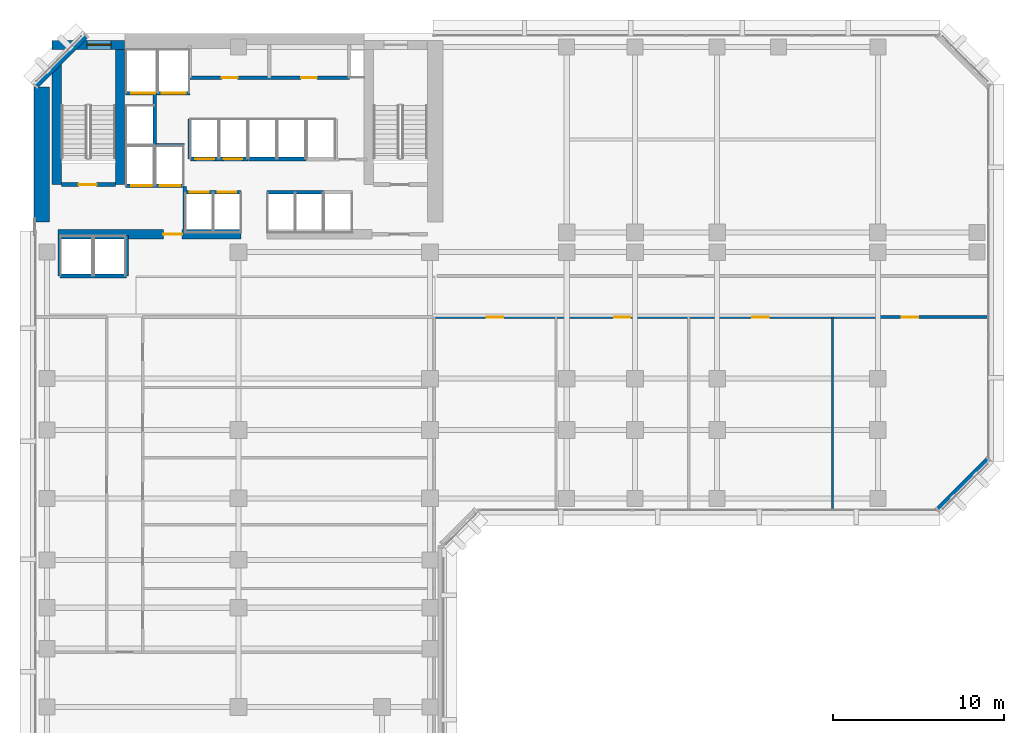
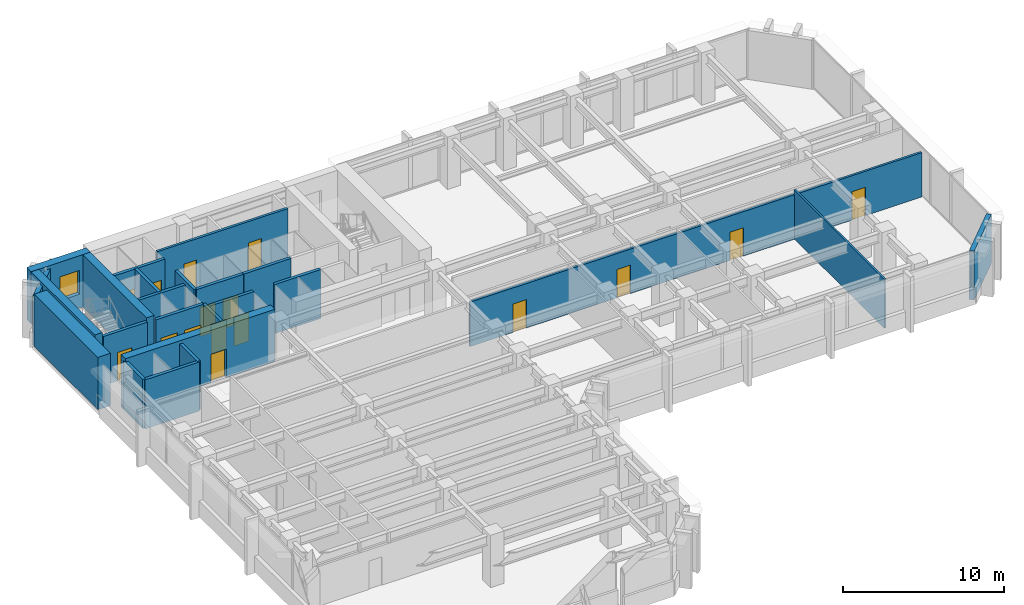
# One storey, part 7 of 13: 24 walls, 16 doors, 1 window, 17 openings.
"""IFC4 building model written with IfcOpenShell, lengths in metres."""

from ifc_helpers import new_model, si_unit, direction, frame, frame_2d, origin, place, context, subcontext, project, spatial, rectangle, extrude, material, layer, layer_set, type_object, element, fill, save


model = new_model("IFC4")

# Units and contexts
model_context = context("Model", 3, precision=1e-05, world=origin(), true_north=direction((0.0, 1.0)))
body_context = subcontext(model_context, "Body", "Model", "MODEL_VIEW")
ifc_project = project(units=[si_unit("LENGTHUNIT", "METRE"), si_unit("AREAUNIT", "SQUARE_METRE"), si_unit("VOLUMEUNIT", "CUBIC_METRE"), si_unit("PLANEANGLEUNIT", "RADIAN"), si_unit("MASSUNIT", "GRAM", prefix="KILO")], contexts=[model_context])

# Site, building, storey
site_placement = place(None, origin())
site = spatial("IfcSite", under=ifc_project, at=site_placement, CompositionType="ELEMENT")
building_placement = place(site_placement, origin())
building = spatial("IfcBuilding", under=site, at=building_placement, Name="Kefirva Bronze Tower", CompositionType="ELEMENT")
storey_placement = place(building_placement, frame((0.0, 0.0, 77.8798828125)))
storey = spatial("IfcBuildingStorey", under=building, at=storey_placement, Name="L18", CompositionType="ELEMENT", Elevation=77.8798828125)

# Wall
ifc_material_1 = material(Name="Gypsum acoustic partition")
ifc_layer_1 = layer(ifc_material_1, 0.1298828125, Name="Gypsum acoustic partition")
ifc_layer_set_1 = layer_set([ifc_layer_1], Name="Gypsum acoustic partition")
wall_type_1 = type_object("IfcWallType", Name="Acoustic Office Partition 130mm", PredefinedType="PARTITIONING", material=ifc_layer_set_1)
wall_1_placement = place(storey_placement, frame((46.749267578125, 18.18994140625, 0.0), z_axis=(0.0, 0.0, 1.0), x_axis=(0.0, 1.0, 0.0)))
element("IfcWall", 1, at=wall_1_placement, inside=storey, type_object=wall_type_1, Name="L18 Partition W-L18-ESD3", PredefinedType="PARTITIONING", context=body_context, shape_type="SweptSolid", body=[
    extrude(rectangle(XDim=11.2099609375, YDim=0.1298828125, at=frame_2d((5.60498046875, 0.0))), origin(), (0.0, 0.0, 1.0), 3.710205078125),
])

# Wall, opening, door
ifc_material_2 = material(Name="Gypsum fireboard shaftwall")
ifc_layer_2 = layer(ifc_material_2, 0.219970703125, Name="Gypsum fireboard shaftwall")
ifc_layer_set_2 = layer_set([ifc_layer_2], Name="Gypsum fireboard shaftwall")
wall_type_2 = type_object("IfcWallType", Name="Fire-Rated Shaft Enclosure Wall 220mm", PredefinedType="PARTITIONING", material=ifc_layer_set_2)
wall_2_placement = place(storey_placement, frame((1.64990234375, 37.14990234375, 0.0), z_axis=(0.0, 0.0, 1.0), x_axis=(1.0, 0.0, 0.0)))
wall_2 = element("IfcWall", 2, at=wall_2_placement, inside=storey, type_object=wall_type_2, Name="L18 Partition W-L18-ST1S", PredefinedType="PARTITIONING", context=body_context, shape_type="SweptSolid", body=[
    extrude(rectangle(XDim=3.150146484375, YDim=0.219970703125, at=frame_2d((1.5751953125, 0.0))), origin(), (0.0, 0.0, 1.0), 3.710205078125),
])
opening_1_placement = place(wall_2_placement, frame((2.050048828125, 0.0, 0.0), z_axis=(0.0, 0.0, 1.0), x_axis=(-1.0, 0.0, 0.0)))
opening_1 = element("IfcOpeningElement", 3, at=opening_1_placement, cuts=wall_2, Name="Opening L18-D001", PredefinedType="OPENING", context=body_context, shape_type="SweptSolid", body=[
    extrude(rectangle(XDim=1.050048828125, YDim=2.14990234375, at=frame_2d((0.52490234375, 1.074951171875))), frame((0.0, 0.1201171875, 0.0), z_axis=(0.0, -1.0, 0.0), x_axis=(1.0, 0.0, 0.0)), (0.0, 0.0, 1.0), 0.239990234375),
])
ifc_material_3 = material(Name="Painted galvanized steel", Category="steel")
door_type_1 = type_object("IfcDoorType", Name="Fire Stair Enclosure Door 1050x2150 FD90S", OperationType="NOTDEFINED", PredefinedType="DOOR", material=ifc_material_3)
door_1_placement = place(opening_1_placement, origin())
door_1 = element("IfcDoor", 4, at=door_1_placement, inside=storey, type_object=door_type_1, Name="Door L18-D001", OperationType="SINGLE_SWING_RIGHT", OverallHeight=2.14990234375, OverallWidth=1.050048828125, PredefinedType="DOOR", context=body_context, shape_type="SweptSolid", body=[
    extrude(rectangle(XDim=1.050048828125, YDim=2.14990234375, at=frame_2d((0.52490234375, 1.074951171875))), frame((0.0, 0.02490234375, 0.0), z_axis=(0.0, -1.0, 0.0), x_axis=(1.0, 0.0, 0.0)), (0.0, 0.0, 1.0), 0.050048828125),
])
fill(opening_1, door_1)

# Wall, openings, doors
wall_3_placement = place(storey_placement, frame((5.3798828125, 37.080078125, 0.0), z_axis=(0.0, 0.0, 1.0), x_axis=(1.0, 0.0, 0.0)))
wall_3 = element("IfcWall", 5, at=wall_3_placement, inside=storey, type_object=wall_type_2, Name="L18 Partition W-L18-FFS", PredefinedType="PARTITIONING", context=body_context, shape_type="SweptSolid", body=[
    extrude(rectangle(XDim=3.460205078125, YDim=0.219970703125, at=frame_2d((1.72998046875, 0.0))), origin(), (0.0, 0.0, 1.0), 3.710205078125),
])
opening_2_placement = place(wall_3_placement, frame((1.550048828125, 0.0, 0.0), z_axis=(0.0, 0.0, 1.0), x_axis=(-1.0, 0.0, 0.0)))
opening_2 = element("IfcOpeningElement", 6, at=opening_2_placement, cuts=wall_3, Name="Opening L18-LD-FF1", PredefinedType="OPENING", context=body_context, shape_type="SweptSolid", body=[
    extrude(rectangle(XDim=1.199951171875, YDim=2.199951171875, at=frame_2d((0.60009765625, 1.10009765625))), frame((0.0, 0.1201171875, 0.0), z_axis=(0.0, -1.0, 0.0), x_axis=(1.0, 0.0, 0.0)), (0.0, 0.0, 1.0), 0.239990234375),
])
opening_3_placement = place(wall_3_placement, frame((3.219970703125, 0.0, 0.0), z_axis=(0.0, 0.0, 1.0), x_axis=(-1.0, 0.0, 0.0)))
opening_3 = element("IfcOpeningElement", 7, at=opening_3_placement, cuts=wall_3, Name="Opening L18-LD-FF2", PredefinedType="OPENING", context=body_context, shape_type="SweptSolid", body=[
    extrude(rectangle(XDim=1.199951171875, YDim=2.199951171875, at=frame_2d((0.60009765625, 1.10009765625))), frame((0.0, 0.1201171875, 0.0), z_axis=(0.0, -1.0, 0.0), x_axis=(1.0, 0.0, 0.0)), (0.0, 0.0, 1.0), 0.239990234375),
])
ifc_material_4 = material(Name="Stainless steel 316", Category="steel")
door_type_2 = type_object("IfcDoorType", Name="Firefighting Lift Sliding Door 1200x2200", OperationType="SLIDING_TO_RIGHT", PredefinedType="DOOR", material=ifc_material_4)
door_2_placement = place(opening_2_placement, origin())
door_2 = element("IfcDoor", 8, at=door_2_placement, inside=storey, type_object=door_type_2, Name="Door L18-LD-FF1", OperationType="SLIDING_TO_RIGHT", OverallHeight=2.199951171875, OverallWidth=1.199951171875, PredefinedType="DOOR", context=body_context, shape_type="SweptSolid", body=[
    extrude(rectangle(XDim=1.199951171875, YDim=2.199951171875, at=frame_2d((0.60009765625, 1.10009765625))), frame((0.0, 0.02490234375, 0.0), z_axis=(0.0, -1.0, 0.0), x_axis=(1.0, 0.0, 0.0)), (0.0, 0.0, 1.0), 0.050048828125),
])
fill(opening_2, door_2)
door_3_placement = place(opening_3_placement, origin())
door_3 = element("IfcDoor", 9, at=door_3_placement, inside=storey, type_object=door_type_2, Name="Door L18-LD-FF2", OperationType="SLIDING_TO_RIGHT", OverallHeight=2.199951171875, OverallWidth=1.199951171875, PredefinedType="DOOR", context=body_context, shape_type="SweptSolid", body=[
    extrude(rectangle(XDim=1.199951171875, YDim=2.199951171875, at=frame_2d((0.60009765625, 1.10009765625))), frame((0.0, 0.02490234375, 0.0), z_axis=(0.0, -1.0, 0.0), x_axis=(1.0, 0.0, 0.0)), (0.0, 0.0, 1.0), 0.050048828125),
])
fill(opening_3, door_3)

# Wall
wall_4_placement = place(storey_placement, frame((5.3798828125, 39.449951171875, 0.0), z_axis=(0.0, 0.0, 1.0), x_axis=(1.0, 0.0, 0.0)))
element("IfcWall", 10, at=wall_4_placement, inside=storey, type_object=wall_type_2, Name="L18 Partition W-L18-FFN", PredefinedType="PARTITIONING", context=body_context, shape_type="SweptSolid", body=[
    extrude(rectangle(XDim=3.460205078125, YDim=0.219970703125, at=frame_2d((1.72998046875, 0.0))), origin(), (0.0, 0.0, 1.0), 3.710205078125),
])

# Wall, openings, doors
wall_5_placement = place(storey_placement, frame((5.3798828125, 42.5, 0.0), z_axis=(0.0, 0.0, 1.0), x_axis=(1.0, 0.0, 0.0)))
wall_5 = element("IfcWall", 11, at=wall_5_placement, inside=storey, type_object=wall_type_2, Name="L18 Partition W-L18-SVS", PredefinedType="PARTITIONING", context=body_context, shape_type="SweptSolid", body=[
    extrude(rectangle(XDim=3.77001953125, YDim=0.219970703125, at=frame_2d((1.885009765625, 0.0))), origin(), (0.0, 0.0, 1.0), 3.710205078125),
])
opening_4_placement = place(wall_5_placement, frame((1.75, 0.0, 0.0), z_axis=(0.0, 0.0, 1.0), x_axis=(-1.0, 0.0, 0.0)))
opening_4 = element("IfcOpeningElement", 12, at=opening_4_placement, cuts=wall_5, Name="Opening L18-LD-SV1", PredefinedType="OPENING", context=body_context, shape_type="SweptSolid", body=[
    extrude(rectangle(XDim=1.39990234375, YDim=2.199951171875, at=frame_2d((0.699951171875, 1.10009765625))), frame((0.0, 0.1201171875, 0.0), z_axis=(0.0, -1.0, 0.0), x_axis=(1.0, 0.0, 0.0)), (0.0, 0.0, 1.0), 0.239990234375),
])
opening_5_placement = place(wall_5_placement, frame((3.52978515625, 0.0, 0.0), z_axis=(0.0, 0.0, 1.0), x_axis=(-1.0, 0.0, 0.0)))
opening_5 = element("IfcOpeningElement", 13, at=opening_5_placement, cuts=wall_5, Name="Opening L18-LD-SV2", PredefinedType="OPENING", context=body_context, shape_type="SweptSolid", body=[
    extrude(rectangle(XDim=1.39990234375, YDim=2.199951171875, at=frame_2d((0.699951171875, 1.10009765625))), frame((0.0, 0.1201171875, 0.0), z_axis=(0.0, -1.0, 0.0), x_axis=(1.0, 0.0, 0.0)), (0.0, 0.0, 1.0), 0.239990234375),
])
door_type_3 = type_object("IfcDoorType", Name="Goods Lift Bi-Parting Sliding Door 1400x2200", OperationType="SLIDING_TO_LEFT", PredefinedType="DOOR", material=ifc_material_4)
door_4_placement = place(opening_4_placement, origin())
door_4 = element("IfcDoor", 14, at=door_4_placement, inside=storey, type_object=door_type_3, Name="Door L18-LD-SV1", OperationType="SLIDING_TO_LEFT", OverallHeight=2.199951171875, OverallWidth=1.39990234375, PredefinedType="DOOR", context=body_context, shape_type="SweptSolid", body=[
    extrude(rectangle(XDim=1.39990234375, YDim=2.199951171875, at=frame_2d((0.699951171875, 1.10009765625))), frame((0.0, 0.02490234375, 0.0), z_axis=(0.0, -1.0, 0.0), x_axis=(1.0, 0.0, 0.0)), (0.0, 0.0, 1.0), 0.050048828125),
])
fill(opening_4, door_4)
door_5_placement = place(opening_5_placement, origin())
door_5 = element("IfcDoor", 15, at=door_5_placement, inside=storey, type_object=door_type_3, Name="Door L18-LD-SV2", OperationType="SLIDING_TO_LEFT", OverallHeight=2.199951171875, OverallWidth=1.39990234375, PredefinedType="DOOR", context=body_context, shape_type="SweptSolid", body=[
    extrude(rectangle(XDim=1.39990234375, YDim=2.199951171875, at=frame_2d((0.699951171875, 1.10009765625))), frame((0.0, 0.02490234375, 0.0), z_axis=(0.0, -1.0, 0.0), x_axis=(1.0, 0.0, 0.0)), (0.0, 0.0, 1.0), 0.050048828125),
])
fill(opening_5, door_5)

# Walls
wall_6_placement = place(storey_placement, frame((7.10009765625, 39.52001953125, 0.0), z_axis=(0.0, 0.0, 1.0), x_axis=(0.0, 1.0, 0.0)))
element("IfcWall", 16, at=wall_6_placement, inside=storey, type_object=wall_type_2, Name="L18 Partition W-L18-HP3E", PredefinedType="PARTITIONING", context=body_context, shape_type="SweptSolid", body=[
    extrude(rectangle(XDim=2.929931640625, YDim=0.219970703125, at=frame_2d((1.46484375, 0.0))), origin(), (0.0, 0.0, 1.0), 3.710205078125),
])
wall_7_placement = place(storey_placement, frame((1.550048828125, 31.800048828125, 0.0), z_axis=(0.0, 0.0, 1.0), x_axis=(1.0, 0.0, 0.0)))
element("IfcWall", 17, at=wall_7_placement, inside=storey, type_object=wall_type_2, Name="L18 Partition W-L18-OBS", PredefinedType="PARTITIONING", context=body_context, shape_type="SweptSolid", body=[
    extrude(rectangle(XDim=3.89990234375, YDim=0.219970703125, at=frame_2d((1.949951171875, 0.0))), origin(), (0.0, 0.0, 1.0), 3.710205078125),
])
for number, where, z_axis, x_axis, name in (
    (18, (1.550048828125, 31.800048828125, 0.0), (0.0, 0.0, 1.0), (0.0, 1.0, 0.0), "L18 Partition W-L18-OBW"),
    (19, (5.449951171875, 31.800048828125, 0.0), (0.0, 0.0, 1.0), (0.0, 1.0, 0.0), "L18 Partition W-L18-OBE"),
):
    element("IfcWall", number, at=place(storey_placement, frame(where, z_axis=z_axis, x_axis=x_axis)), inside=storey, type_object=wall_type_2, Name=name, PredefinedType="PARTITIONING", context=body_context, shape_type="SweptSolid", body=[
        extrude(rectangle(XDim=2.3798828125, YDim=0.219970703125, at=frame_2d((1.18994140625, 0.0))), origin(), (0.0, 0.0, 1.0), 3.710205078125),
    ])
wall_8_placement = place(storey_placement, frame((9.159912109375, 38.64990234375, 0.0), z_axis=(0.0, 0.0, 1.0), x_axis=(0.0, 1.0, 0.0)))
element("IfcWall", 20, at=wall_8_placement, inside=storey, type_object=wall_type_2, Name="L18 Partition W-L18-LP3W", PredefinedType="PARTITIONING", context=body_context, shape_type="SweptSolid", body=[
    extrude(rectangle(XDim=2.35009765625, YDim=0.199951171875, at=frame_2d((1.175048828125, 0.0))), origin(), (0.0, 0.0, 1.0), 3.710205078125),
])

# Wall, openings, doors
wall_9_placement = place(storey_placement, frame((8.89990234375, 36.699951171875, 0.0), z_axis=(0.0, 0.0, 1.0), x_axis=(1.0, 0.0, 0.0)))
wall_9 = element("IfcWall", 21, at=wall_9_placement, inside=storey, type_object=wall_type_2, Name="L18 Partition W-L18-LPS", PredefinedType="PARTITIONING", context=body_context, shape_type="SweptSolid", body=[
    extrude(rectangle(XDim=3.260009765625, YDim=0.219970703125, at=frame_2d((1.6298828125, 0.0))), origin(), (0.0, 0.0, 1.0), 3.710205078125),
])
opening_6_placement = place(wall_9_placement, frame((0.260009765625, 0.0, 0.0)))
opening_6 = element("IfcOpeningElement", 22, at=opening_6_placement, cuts=wall_9, Name="Opening L18-LD-LP1", PredefinedType="OPENING", context=body_context, shape_type="SweptSolid", body=[
    extrude(rectangle(XDim=1.10009765625, YDim=2.199951171875, at=frame_2d((0.550048828125, 1.10009765625))), frame((0.0, 0.1201171875, 0.0), z_axis=(0.0, -1.0, 0.0), x_axis=(1.0, 0.0, 0.0)), (0.0, 0.0, 1.0), 0.239990234375),
])
opening_7_placement = place(wall_9_placement, frame((1.8798828125, 0.0, 0.0)))
opening_7 = element("IfcOpeningElement", 23, at=opening_7_placement, cuts=wall_9, Name="Opening L18-LD-LP2", PredefinedType="OPENING", context=body_context, shape_type="SweptSolid", body=[
    extrude(rectangle(XDim=1.10009765625, YDim=2.199951171875, at=frame_2d((0.550048828125, 1.10009765625))), frame((0.0, 0.1201171875, 0.0), z_axis=(0.0, -1.0, 0.0), x_axis=(1.0, 0.0, 0.0)), (0.0, 0.0, 1.0), 0.239990234375),
])
door_type_4 = type_object("IfcDoorType", Name="Passenger Lift Sliding Landing Door 1100x2200", OperationType="SLIDING_TO_LEFT", PredefinedType="DOOR", material=ifc_material_4)
door_6_placement = place(opening_6_placement, origin())
door_6 = element("IfcDoor", 24, at=door_6_placement, inside=storey, type_object=door_type_4, Name="Door L18-LD-LP1", OperationType="SLIDING_TO_LEFT", OverallHeight=2.199951171875, OverallWidth=1.10009765625, PredefinedType="DOOR", context=body_context, shape_type="SweptSolid", body=[
    extrude(rectangle(XDim=1.10009765625, YDim=2.199951171875, at=frame_2d((0.550048828125, 1.10009765625))), frame((0.0, 0.02490234375, 0.0), z_axis=(0.0, -1.0, 0.0), x_axis=(1.0, 0.0, 0.0)), (0.0, 0.0, 1.0), 0.050048828125),
])
fill(opening_6, door_6)
door_7_placement = place(opening_7_placement, origin())
door_7 = element("IfcDoor", 25, at=door_7_placement, inside=storey, type_object=door_type_4, Name="Door L18-LD-LP2", OperationType="SLIDING_TO_LEFT", OverallHeight=2.199951171875, OverallWidth=1.10009765625, PredefinedType="DOOR", context=body_context, shape_type="SweptSolid", body=[
    extrude(rectangle(XDim=1.10009765625, YDim=2.199951171875, at=frame_2d((0.550048828125, 1.10009765625))), frame((0.0, 0.02490234375, 0.0), z_axis=(0.0, -1.0, 0.0), x_axis=(1.0, 0.0, 0.0)), (0.0, 0.0, 1.0), 0.050048828125),
])
fill(opening_7, door_7)

wall_10_placement = place(storey_placement, frame((9.179931640625, 38.64990234375, 0.0), z_axis=(0.0, 0.0, 1.0), x_axis=(1.0, 0.0, 0.0)))
wall_10 = element("IfcWall", 26, at=wall_10_placement, inside=storey, type_object=wall_type_2, Name="L18 Partition W-L18-LPN", PredefinedType="PARTITIONING", context=body_context, shape_type="SweptSolid", body=[
    extrude(rectangle(XDim=3.380126953125, YDim=0.219970703125, at=frame_2d((1.68994140625, 0.0))), origin(), (0.0, 0.0, 1.0), 3.710205078125),
])
opening_8_placement = place(wall_10_placement, frame((0.300048828125, 0.0, 0.0)))
opening_8 = element("IfcOpeningElement", 27, at=opening_8_placement, cuts=wall_10, Name="Opening L18-LD-LP3", PredefinedType="OPENING", context=body_context, shape_type="SweptSolid", body=[
    extrude(rectangle(XDim=1.10009765625, YDim=2.199951171875, at=frame_2d((0.550048828125, 1.10009765625))), frame((0.0, 0.1201171875, 0.0), z_axis=(0.0, -1.0, 0.0), x_axis=(1.0, 0.0, 0.0)), (0.0, 0.0, 1.0), 0.239990234375),
])
opening_9_placement = place(wall_10_placement, frame((1.949951171875, 0.0, 0.0)))
opening_9 = element("IfcOpeningElement", 28, at=opening_9_placement, cuts=wall_10, Name="Opening L18-LD-LP4", PredefinedType="OPENING", context=body_context, shape_type="SweptSolid", body=[
    extrude(rectangle(XDim=1.10009765625, YDim=2.199951171875, at=frame_2d((0.550048828125, 1.10009765625))), frame((0.0, 0.1201171875, 0.0), z_axis=(0.0, -1.0, 0.0), x_axis=(1.0, 0.0, 0.0)), (0.0, 0.0, 1.0), 0.239990234375),
])
door_8_placement = place(opening_8_placement, origin())
door_8 = element("IfcDoor", 29, at=door_8_placement, inside=storey, type_object=door_type_4, Name="Door L18-LD-LP3", OperationType="SLIDING_TO_LEFT", OverallHeight=2.199951171875, OverallWidth=1.10009765625, PredefinedType="DOOR", context=body_context, shape_type="SweptSolid", body=[
    extrude(rectangle(XDim=1.10009765625, YDim=2.199951171875, at=frame_2d((0.550048828125, 1.10009765625))), frame((0.0, 0.02490234375, 0.0), z_axis=(0.0, -1.0, 0.0), x_axis=(1.0, 0.0, 0.0)), (0.0, 0.0, 1.0), 0.050048828125),
])
fill(opening_8, door_8)
door_9_placement = place(opening_9_placement, origin())
door_9 = element("IfcDoor", 30, at=door_9_placement, inside=storey, type_object=door_type_4, Name="Door L18-LD-LP4", OperationType="SLIDING_TO_LEFT", OverallHeight=2.199951171875, OverallWidth=1.10009765625, PredefinedType="DOOR", context=body_context, shape_type="SweptSolid", body=[
    extrude(rectangle(XDim=1.10009765625, YDim=2.199951171875, at=frame_2d((0.550048828125, 1.10009765625))), frame((0.0, 0.02490234375, 0.0), z_axis=(0.0, -1.0, 0.0), x_axis=(1.0, 0.0, 0.0)), (0.0, 0.0, 1.0), 0.050048828125),
])
fill(opening_9, door_9)

# Walls
wall_11_placement = place(storey_placement, frame((13.679931640625, 36.699951171875, 0.0), z_axis=(0.0, 0.0, 1.0), x_axis=(1.0, 0.0, 0.0)))
element("IfcWall", 31, at=wall_11_placement, inside=storey, type_object=wall_type_2, Name="L18 Partition W-L18-MPS", PredefinedType="PARTITIONING", context=body_context, shape_type="SweptSolid", body=[
    extrude(rectangle(XDim=3.280029296875, YDim=0.219970703125, at=frame_2d((1.64013671875, 0.0))), origin(), (0.0, 0.0, 1.0), 3.710205078125),
])
wall_12_placement = place(storey_placement, frame((12.580078125, 38.64990234375, 0.0), z_axis=(0.0, 0.0, 1.0), x_axis=(1.0, 0.0, 0.0)))
element("IfcWall", 32, at=wall_12_placement, inside=storey, type_object=wall_type_2, Name="L18 Partition W-L18-MPN", PredefinedType="PARTITIONING", context=body_context, shape_type="SweptSolid", body=[
    extrude(rectangle(XDim=3.3798828125, YDim=0.219970703125, at=frame_2d((1.68994140625, 0.0))), origin(), (0.0, 0.0, 1.0), 3.710205078125),
])
ifc_material_5 = material(Name="Gypsum fireboard barrier")
ifc_layer_3 = layer(ifc_material_5, 0.199951171875, Name="Gypsum fireboard barrier")
ifc_layer_set_3 = layer_set([ifc_layer_3], Name="Gypsum fireboard barrier")
wall_type_3 = type_object("IfcWallType", Name="Firefighting Lobby Barrier Wall 200mm", PredefinedType="PARTITIONING", material=ifc_layer_set_3)
wall_13_placement = place(storey_placement, frame((8.860107421875, 34.550048828125, 0.0), z_axis=(0.0, 0.0, 1.0), x_axis=(0.0, 1.0, 0.0)))
element("IfcWall", 33, at=wall_13_placement, inside=storey, type_object=wall_type_3, Name="L18 Partition W-L18-FFLE", PredefinedType="PARTITIONING", context=body_context, shape_type="SweptSolid", body=[
    extrude(rectangle(XDim=2.5, YDim=0.199951171875, at=frame_2d((1.25, 0.0))), origin(), (0.0, 0.0, 1.0), 3.710205078125),
])
ifc_material_6 = material(Name="Precast concrete C40/50", Category="concrete")
ifc_layer_4 = layer(ifc_material_6, 0.320068359375, Name="Precast concrete C40/50")
ifc_layer_set_4 = layer_set([ifc_layer_4], Name="Precast concrete C40/50")
wall_type_4 = type_object("IfcWallType", Name="Precast Insulated Exterior Wall 320mm", PredefinedType="SOLIDWALL", material=ifc_layer_set_4)
for number, where, z_axis, x_axis, name in (
    (34, (52.92578125, 18.152099609375, 0.0), (0.0, 0.0, 1.0), (0.707106781187, 0.707106781187, 0.0), "L18 Exterior Facade Wall 7"),
    (35, (3.07421875, 45.847900390625, 0.0), (0.0, 0.0, 1.0), (-0.707106781187, -0.707106781187, 0.0), "L18 Exterior Facade Wall 9"),
):
    element("IfcWall", number, at=place(storey_placement, frame(where, z_axis=z_axis, x_axis=x_axis)), inside=storey, type_object=wall_type_4, Name=name, PredefinedType="SOLIDWALL", context=body_context, shape_type="SweptSolid", body=[
        extrude(rectangle(XDim=4.132568359375, YDim=0.320068359375, at=frame_2d((2.06640625, 0.0))), origin(), (0.0, 0.0, 1.0), 3.710205078125),
    ])

# Wall, openings, doors
ifc_layer_5 = layer(ifc_material_1, 0.159912109375, Name="Gypsum acoustic partition")
ifc_layer_set_5 = layer_set([ifc_layer_5], Name="Gypsum acoustic partition")
wall_type_5 = type_object("IfcWallType", Name="Protected Corridor Partition 160mm", PredefinedType="PARTITIONING", material=ifc_layer_set_5)
wall_14_placement = place(storey_placement, frame((23.449951171875, 29.39990234375, 0.0), z_axis=(0.0, 0.0, 1.0), x_axis=(1.0, 0.0, 0.0)))
wall_14 = element("IfcWall", 36, at=wall_14_placement, inside=storey, type_object=wall_type_5, Name="L18 Partition W-L18-EWS", PredefinedType="PARTITIONING", context=body_context, shape_type="SweptSolid", body=[
    extrude(rectangle(XDim=32.360107421875, YDim=0.159912109375, at=frame_2d((16.18017578125, 0.0))), origin(), (0.0, 0.0, 1.0), 3.365234375),
])
opening_10_placement = place(wall_14_placement, frame((4.03466796875, 0.0, 0.0), z_axis=(0.0, 0.0, 1.0), x_axis=(-1.0, 0.0, 0.0)))
opening_10 = element("IfcOpeningElement", 37, at=opening_10_placement, cuts=wall_14, Name="Opening L18-D-ES1", PredefinedType="OPENING", context=body_context, shape_type="SweptSolid", body=[
    extrude(rectangle(XDim=0.949951171875, YDim=2.14990234375, at=frame_2d((0.47509765625, 1.074951171875))), frame((0.0, 0.08984375, 0.0), z_axis=(0.0, -1.0, 0.0), x_axis=(1.0, 0.0, 0.0)), (0.0, 0.0, 1.0), 0.179931640625),
])
opening_11_placement = place(wall_14_placement, frame((11.477294921875, 0.0, 0.0), z_axis=(0.0, 0.0, 1.0), x_axis=(-1.0, 0.0, 0.0)))
opening_11 = element("IfcOpeningElement", 38, at=opening_11_placement, cuts=wall_14, Name="Opening L18-D-ES2", PredefinedType="OPENING", context=body_context, shape_type="SweptSolid", body=[
    extrude(rectangle(XDim=0.949951171875, YDim=2.14990234375, at=frame_2d((0.47509765625, 1.074951171875))), frame((0.0, 0.08984375, 0.0), z_axis=(0.0, -1.0, 0.0), x_axis=(1.0, 0.0, 0.0)), (0.0, 0.0, 1.0), 0.179931640625),
])
opening_12_placement = place(wall_14_placement, frame((19.5673828125, 0.0, 0.0), z_axis=(0.0, 0.0, 1.0), x_axis=(-1.0, 0.0, 0.0)))
opening_12 = element("IfcOpeningElement", 39, at=opening_12_placement, cuts=wall_14, Name="Opening L18-D-ES3", PredefinedType="OPENING", context=body_context, shape_type="SweptSolid", body=[
    extrude(rectangle(XDim=0.949951171875, YDim=2.14990234375, at=frame_2d((0.47509765625, 1.074951171875))), frame((0.0, 0.08984375, 0.0), z_axis=(0.0, -1.0, 0.0), x_axis=(1.0, 0.0, 0.0)), (0.0, 0.0, 1.0), 0.179931640625),
])
opening_13_placement = place(wall_14_placement, frame((28.304443359375, 0.0, 0.0), z_axis=(0.0, 0.0, 1.0), x_axis=(-1.0, 0.0, 0.0)))
opening_13 = element("IfcOpeningElement", 40, at=opening_13_placement, cuts=wall_14, Name="Opening L18-D-ES4", PredefinedType="OPENING", context=body_context, shape_type="SweptSolid", body=[
    extrude(rectangle(XDim=0.949951171875, YDim=2.14990234375, at=frame_2d((0.47509765625, 1.074951171875))), frame((0.0, 0.08984375, 0.0), z_axis=(0.0, -1.0, 0.0), x_axis=(1.0, 0.0, 0.0)), (0.0, 0.0, 1.0), 0.179931640625),
])
ifc_material_7 = material(Name="Acoustic hardwood oak", Category="wood")
door_type_5 = type_object("IfcDoorType", Name="Office & Meeting Room Door 950x2150", OperationType="NOTDEFINED", PredefinedType="DOOR", material=ifc_material_7)
door_10_placement = place(opening_10_placement, origin())
door_10 = element("IfcDoor", 41, at=door_10_placement, inside=storey, type_object=door_type_5, Name="Door L18-D-ES1", OperationType="SINGLE_SWING_RIGHT", OverallHeight=2.14990234375, OverallWidth=0.949951171875, PredefinedType="DOOR", context=body_context, shape_type="SweptSolid", body=[
    extrude(rectangle(XDim=0.949951171875, YDim=2.14990234375, at=frame_2d((0.47509765625, 1.074951171875))), frame((0.0, 0.02490234375, 0.0), z_axis=(0.0, -1.0, 0.0), x_axis=(1.0, 0.0, 0.0)), (0.0, 0.0, 1.0), 0.050048828125),
])
fill(opening_10, door_10)
door_11_placement = place(opening_11_placement, origin())
door_11 = element("IfcDoor", 42, at=door_11_placement, inside=storey, type_object=door_type_5, Name="Door L18-D-ES2", OperationType="SINGLE_SWING_LEFT", OverallHeight=2.14990234375, OverallWidth=0.949951171875, PredefinedType="DOOR", context=body_context, shape_type="SweptSolid", body=[
    extrude(rectangle(XDim=0.949951171875, YDim=2.14990234375, at=frame_2d((0.47509765625, 1.074951171875))), frame((0.0, 0.02490234375, 0.0), z_axis=(0.0, -1.0, 0.0), x_axis=(1.0, 0.0, 0.0)), (0.0, 0.0, 1.0), 0.050048828125),
])
fill(opening_11, door_11)
door_12_placement = place(opening_12_placement, origin())
door_12 = element("IfcDoor", 43, at=door_12_placement, inside=storey, type_object=door_type_5, Name="Door L18-D-ES3", OperationType="SINGLE_SWING_RIGHT", OverallHeight=2.14990234375, OverallWidth=0.949951171875, PredefinedType="DOOR", context=body_context, shape_type="SweptSolid", body=[
    extrude(rectangle(XDim=0.949951171875, YDim=2.14990234375, at=frame_2d((0.47509765625, 1.074951171875))), frame((0.0, 0.02490234375, 0.0), z_axis=(0.0, -1.0, 0.0), x_axis=(1.0, 0.0, 0.0)), (0.0, 0.0, 1.0), 0.050048828125),
])
fill(opening_12, door_12)
door_13_placement = place(opening_13_placement, origin())
door_13 = element("IfcDoor", 44, at=door_13_placement, inside=storey, type_object=door_type_5, Name="Door L18-D-ES4", OperationType="SINGLE_SWING_LEFT", OverallHeight=2.14990234375, OverallWidth=0.949951171875, PredefinedType="DOOR", context=body_context, shape_type="SweptSolid", body=[
    extrude(rectangle(XDim=0.949951171875, YDim=2.14990234375, at=frame_2d((0.47509765625, 1.074951171875))), frame((0.0, 0.02490234375, 0.0), z_axis=(0.0, -1.0, 0.0), x_axis=(1.0, 0.0, 0.0)), (0.0, 0.0, 1.0), 0.050048828125),
])
fill(opening_13, door_13)

# Wall, opening, window
ifc_material_8 = material(Name="Concrete C50/60", Category="concrete")
ifc_layer_6 = layer(ifc_material_8, 0.550048828125, Name="Concrete C50/60")
ifc_layer_set_6 = layer_set([ifc_layer_6], Name="Concrete C50/60")
wall_type_6 = type_object("IfcWallType", Name="RC Rear Core Exterior Wall 550mm", PredefinedType="SHEAR", material=ifc_layer_set_6)
wall_15_placement = place(storey_placement, frame((1.10009765625, 45.320068359375, 0.0), z_axis=(0.0, 0.0, 1.0), x_axis=(1.0, 0.0, 0.0)))
wall_15 = element("IfcWall", 45, at=wall_15_placement, inside=storey, type_object=wall_type_6, Name="L18 Stair 1 North Shear Wall", PredefinedType="SHEAR", context=body_context, shape_type="SweptSolid", body=[
    extrude(rectangle(XDim=4.239990234375, YDim=0.550048828125, at=frame_2d((2.1201171875, 0.0))), origin(), (0.0, 0.0, 1.0), 3.960205078125),
])
opening_14_placement = place(wall_15_placement, frame((2.050048828125, 0.0, 1.050048828125)))
opening_14 = element("IfcOpeningElement", 46, at=opening_14_placement, cuts=wall_15, Name="Opening WN-03", PredefinedType="OPENING", context=body_context, shape_type="SweptSolid", body=[
    extrude(rectangle(XDim=1.39990234375, YDim=1.800048828125, at=frame_2d((0.699951171875, 0.89990234375))), frame((0.0, 0.28515625, 0.0), z_axis=(0.0, -1.0, 0.0), x_axis=(1.0, 0.0, 0.0)), (0.0, 0.0, 1.0), 0.570068359375),
])
ifc_material_9 = material(Name="Laminated low-E double glazing", Category="glass")
window_type = type_object("IfcWindowType", Name="Rear-Core Stair Daylight Window 1400x1800", PartitioningType="SINGLE_PANEL", PredefinedType="WINDOW", material=ifc_material_9)
window_placement = place(opening_14_placement, origin())
window = element("IfcWindow", 47, at=window_placement, inside=storey, type_object=window_type, Name="L18 Stair 1 Daylight Window", OverallHeight=1.800048828125, OverallWidth=1.39990234375, PartitioningType="SINGLE_PANEL", PredefinedType="WINDOW", context=body_context, shape_type="SweptSolid", body=[
    extrude(rectangle(XDim=1.39990234375, YDim=1.800048828125, at=frame_2d((0.699951171875, 0.89990234375))), frame((0.0, 0.030029296875, 0.0), z_axis=(0.0, -1.0, 0.0), x_axis=(1.0, 0.0, 0.0)), (0.0, 0.0, 1.0), 0.06005859375),
])
fill(opening_14, window)

# Walls
ifc_material_10 = material(Name="Concrete C60/75", Category="concrete")
ifc_layer_7 = layer(ifc_material_10, 0.89990234375, Name="Concrete C60/75")
ifc_layer_set_7 = layer_set([ifc_layer_7], Name="Concrete C60/75")
wall_type_7 = type_object("IfcWallType", Name="RC Rear Core Exterior Wall 900mm", PredefinedType="SHEAR", material=ifc_layer_set_7)
wall_16_placement = place(storey_placement, frame((0.5, 34.949951171875, 0.0), z_axis=(0.0, 0.0, 1.0), x_axis=(0.0, 1.0, 0.0)))
element("IfcWall", 48, at=wall_16_placement, inside=storey, type_object=wall_type_7, Name="L18 Rear Core West Shear Wall", PredefinedType="SHEAR", context=body_context, shape_type="SweptSolid", body=[
    extrude(rectangle(XDim=7.900146484375, YDim=0.89990234375, at=frame_2d((3.9501953125, 0.0))), origin(), (0.0, 0.0, 1.0), 3.960205078125),
])
ifc_layer_8 = layer(ifc_material_8, 0.550048828125, Name="Concrete C50/60")
ifc_layer_set_8 = layer_set([ifc_layer_8], Name="Concrete C50/60")
wall_type_8 = type_object("IfcWallType", Name="RC Rear Core Interior Wall 550mm", PredefinedType="SHEAR", material=ifc_layer_set_8)
for number, where, z_axis, x_axis, name in (
    (49, (1.3701171875, 37.14990234375, 0.0), (0.0, 0.0, 1.0), (0.0, 1.0, 0.0), "L18 Stair 1 West Shear Wall"),
    (50, (5.070068359375, 37.14990234375, 0.0), (0.0, 0.0, 1.0), (0.0, 1.0, 0.0), "L18 Stair 1 East Shear Wall"),
):
    element("IfcWall", number, at=place(storey_placement, frame(where, z_axis=z_axis, x_axis=x_axis)), inside=storey, type_object=wall_type_8, Name=name, PredefinedType="SHEAR", context=body_context, shape_type="SweptSolid", body=[
        extrude(rectangle(XDim=7.89013671875, YDim=0.550048828125, at=frame_2d((3.945068359375, 0.0))), origin(), (0.0, 0.0, 1.0), 3.960205078125),
    ])

# Wall, opening, door
ifc_layer_9 = layer(ifc_material_10, 0.89990234375, Name="Concrete C60/75")
ifc_layer_set_9 = layer_set([ifc_layer_9], Name="Concrete C60/75")
wall_type_9 = type_object("IfcWallType", Name="RC Rear Core Interior Wall 900mm", PredefinedType="SHEAR", material=ifc_layer_set_9)
wall_17_placement = place(storey_placement, frame((1.449951171875, 34.25, 0.0), z_axis=(0.0, 0.0, 1.0), x_axis=(1.0, 0.0, 0.0)))
wall_17 = element("IfcWall", 51, at=wall_17_placement, inside=storey, type_object=wall_type_9, Name="L18 Rear Core South-West Shear Wall", PredefinedType="SHEAR", context=body_context, shape_type="SweptSolid", body=[
    extrude(rectangle(XDim=10.7099609375, YDim=0.550048828125, at=frame_2d((5.35498046875, 0.0))), origin(), (0.0, 0.0, 1.0), 3.960205078125),
])
opening_15_placement = place(wall_17_placement, frame((7.25, 0.0, 0.0), z_axis=(0.0, 0.0, 1.0), x_axis=(-1.0, 0.0, 0.0)))
opening_15 = element("IfcOpeningElement", 52, at=opening_15_placement, cuts=wall_17, Name="Opening L18-D002", PredefinedType="OPENING", context=body_context, shape_type="SweptSolid", body=[
    extrude(rectangle(XDim=1.10009765625, YDim=2.14990234375, at=frame_2d((0.550048828125, 1.074951171875))), frame((0.0, 0.28515625, 0.0), z_axis=(0.0, -1.0, 0.0), x_axis=(1.0, 0.0, 0.0)), (0.0, 0.0, 1.0), 0.570068359375),
])
door_type_6 = type_object("IfcDoorType", Name="Firefighting Lobby Smoke Door 1100x2150 FD60S", OperationType="NOTDEFINED", PredefinedType="DOOR", material=ifc_material_3)
door_14_placement = place(opening_15_placement, origin())
door_14 = element("IfcDoor", 53, at=door_14_placement, inside=storey, type_object=door_type_6, Name="Door L18-D002", OperationType="SINGLE_SWING_LEFT", OverallHeight=2.14990234375, OverallWidth=1.10009765625, PredefinedType="DOOR", context=body_context, shape_type="SweptSolid", body=[
    extrude(rectangle(XDim=1.10009765625, YDim=2.14990234375, at=frame_2d((0.550048828125, 1.074951171875))), frame((0.0, 0.02490234375, 0.0), z_axis=(0.0, -1.0, 0.0), x_axis=(1.0, 0.0, 0.0)), (0.0, 0.0, 1.0), 0.050048828125),
])
fill(opening_15, door_14)

# Wall, openings, doors
ifc_material_11 = material(Name="Moisture-resistant partition")
ifc_layer_10 = layer(ifc_material_11, 0.179931640625, Name="Moisture-resistant partition")
ifc_layer_set_10 = layer_set([ifc_layer_10], Name="Moisture-resistant partition")
wall_type_10 = type_object("IfcWallType", Name="Sanitary Plumbing Chase Wall 180mm", PredefinedType="PLUMBINGWALL", material=ifc_layer_set_10)
wall_18_placement = place(storey_placement, frame((9.14990234375, 43.39990234375, 0.0), z_axis=(0.0, 0.0, 1.0), x_axis=(1.0, 0.0, 0.0)))
wall_18 = element("IfcWall", 54, at=wall_18_placement, inside=storey, type_object=wall_type_10, Name="L18 Partition W-L18-SVCS", PredefinedType="PLUMBINGWALL", context=body_context, shape_type="SweptSolid", body=[
    extrude(rectangle(XDim=9.330078125, YDim=0.179931640625, at=frame_2d((4.6650390625, 0.0))), origin(), (0.0, 0.0, 1.0), 3.710205078125),
])
opening_16_placement = place(wall_18_placement, frame((1.8798828125, 0.0, 0.0)))
opening_16 = element("IfcOpeningElement", 55, at=opening_16_placement, cuts=wall_18, Name="Opening L18-D-CSVC1", PredefinedType="OPENING", context=body_context, shape_type="SweptSolid", body=[
    extrude(rectangle(XDim=0.919921875, YDim=2.10009765625, at=frame_2d((0.4599609375, 1.050048828125))), frame((0.0, 0.10009765625, 0.0), z_axis=(0.0, -1.0, 0.0), x_axis=(1.0, 0.0, 0.0)), (0.0, 0.0, 1.0), 0.199951171875),
])
opening_17_placement = place(wall_18_placement, frame((6.514892578125, 0.0, 0.0)))
opening_17 = element("IfcOpeningElement", 56, at=opening_17_placement, cuts=wall_18, Name="Opening L18-D-CSVC2", PredefinedType="OPENING", context=body_context, shape_type="SweptSolid", body=[
    extrude(rectangle(XDim=0.919921875, YDim=2.10009765625, at=frame_2d((0.4599609375, 1.050048828125))), frame((0.0, 0.10009765625, 0.0), z_axis=(0.0, -1.0, 0.0), x_axis=(1.0, 0.0, 0.0)), (0.0, 0.0, 1.0), 0.199951171875),
])
ifc_material_12 = material(Name="Moisture-resistant timber", Category="wood")
door_type_7 = type_object("IfcDoorType", Name="Accessible Sanitary & WC Door 920x2100", OperationType="NOTDEFINED", PredefinedType="DOOR", material=ifc_material_12)
door_15_placement = place(opening_16_placement, origin())
door_15 = element("IfcDoor", 57, at=door_15_placement, inside=storey, type_object=door_type_7, Name="Door L18-D-CSVC1", OperationType="SINGLE_SWING_LEFT", OverallHeight=2.10009765625, OverallWidth=0.919921875, PredefinedType="DOOR", context=body_context, shape_type="SweptSolid", body=[
    extrude(rectangle(XDim=0.919921875, YDim=2.10009765625, at=frame_2d((0.4599609375, 1.050048828125))), frame((0.0, 0.02490234375, 0.0), z_axis=(0.0, -1.0, 0.0), x_axis=(1.0, 0.0, 0.0)), (0.0, 0.0, 1.0), 0.050048828125),
])
fill(opening_16, door_15)
door_16_placement = place(opening_17_placement, origin())
door_16 = element("IfcDoor", 58, at=door_16_placement, inside=storey, type_object=door_type_7, Name="Door L18-D-CSVC2", OperationType="SINGLE_SWING_RIGHT", OverallHeight=2.10009765625, OverallWidth=0.919921875, PredefinedType="DOOR", context=body_context, shape_type="SweptSolid", body=[
    extrude(rectangle(XDim=0.919921875, YDim=2.10009765625, at=frame_2d((0.4599609375, 1.050048828125))), frame((0.0, 0.02490234375, 0.0), z_axis=(0.0, -1.0, 0.0), x_axis=(1.0, 0.0, 0.0)), (0.0, 0.0, 1.0), 0.050048828125),
])
fill(opening_17, door_16)

save(model, "model.ifc")
